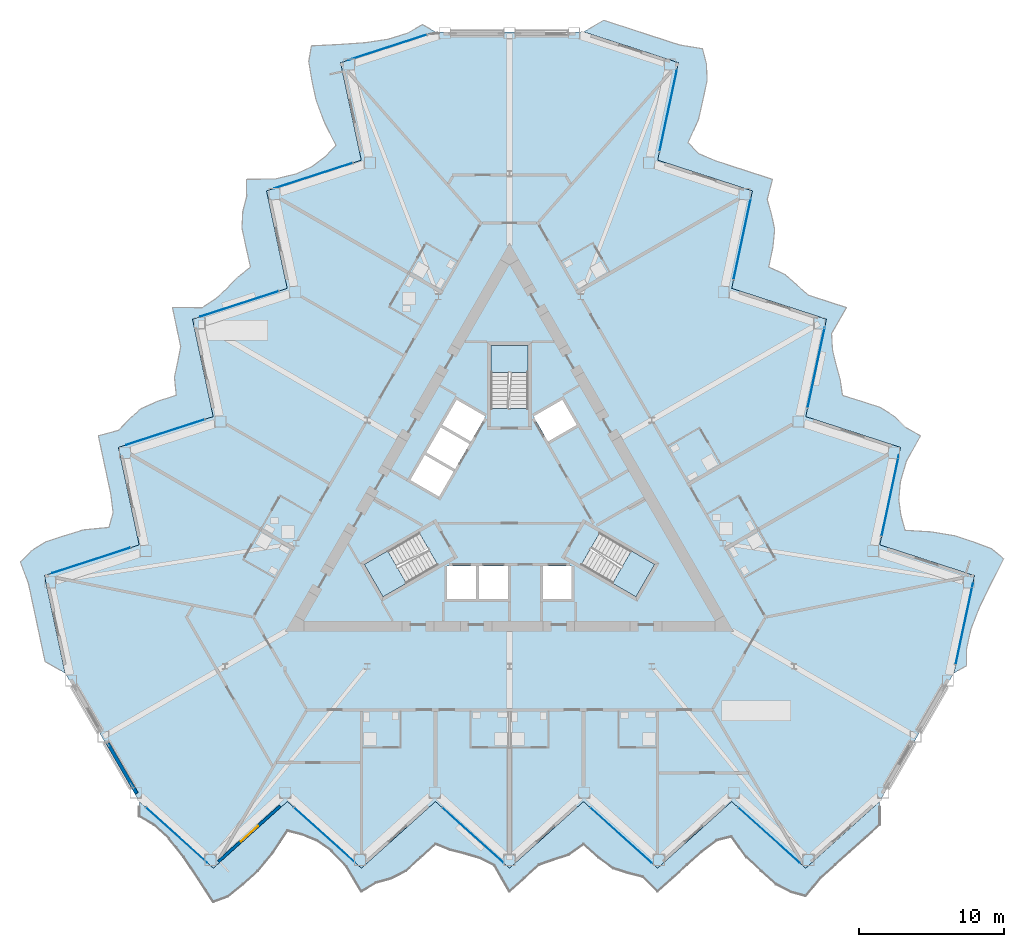
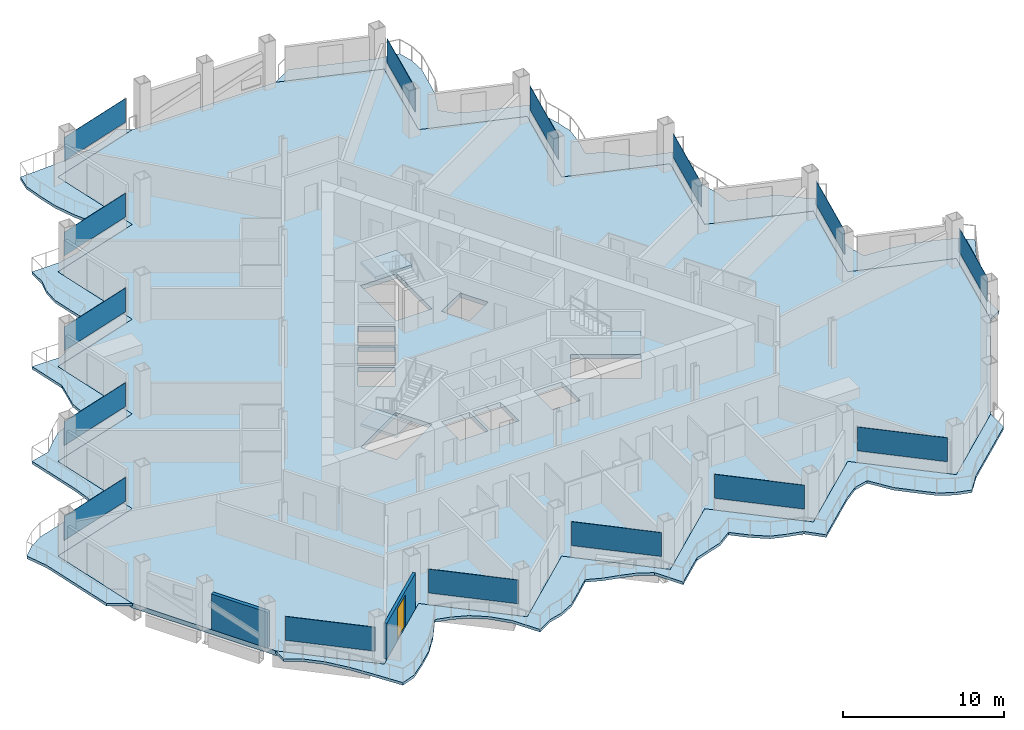
# One storey, part 9 of 23: 15 plates, 7 slabs, 2 walls, 1 door, 1 opening, 18 elements without a shape of their own.
"""IFC4 building model written with IfcOpenShell, lengths in metres."""

from ifc_helpers import new_model, si_unit, direction, frame, frame_2d, origin, origin_2d, place, context, subcontext, project, spatial, polyline, rectangle, outline, extrude, material, layer, layer_set, type_object, element, fill, aggregate, save


model = new_model("IFC4")

# Units and contexts
model_context = context("Model", 3, precision=1e-05, world=origin(), true_north=direction((0.0, 1.0)))
body_context = subcontext(model_context, "Body", "Model", "MODEL_VIEW")
ifc_project = project(units=[si_unit("LENGTHUNIT", "METRE"), si_unit("AREAUNIT", "SQUARE_METRE"), si_unit("VOLUMEUNIT", "CUBIC_METRE"), si_unit("PLANEANGLEUNIT", "RADIAN"), si_unit("MASSUNIT", "GRAM", prefix="KILO")], contexts=[model_context])

# Site, building, storey
site_placement = place(None, origin())
site = spatial("IfcSite", under=ifc_project, at=site_placement, CompositionType="ELEMENT")
building_placement = place(site_placement, origin())
building = spatial("IfcBuilding", under=site, at=building_placement, Name="Cormorant Prow Tower", CompositionType="ELEMENT")
storey_placement = place(building_placement, frame((0.0, 0.0, 169.199951171875)))
storey = spatial("IfcBuildingStorey", under=building, at=storey_placement, Name="L35", CompositionType="ELEMENT", Elevation=169.199951171875)

# Slabs
ifc_material_1 = material(Name="Concrete C40/50", Category="concrete")
ifc_layer_1 = layer(ifc_material_1, 0.199951171875)
ifc_layer_set_1 = layer_set([ifc_layer_1], Name="Concrete C40/50")
slab_type_1 = type_object("IfcSlabType", Name="Balcony slab 200", PredefinedType="FLOOR", material=ifc_layer_set_1)
slab_1_placement = place(storey_placement, frame((0.0, 0.0, -0.199951171875)))
element("IfcSlab", 1, at=slab_1_placement, inside=storey, type_object=slab_type_1, Name="Balcony slab S L35", PredefinedType="FLOOR", context=body_context, shape_type="SweptSolid", body=[
    extrude(outline(polyline([(-25.57861328125, -20.684326171875), (-25.57861328125, -21.700439453125), (-24.555419921875, -22.29296875), (-23.5322265625, -23.231201171875), (-22.509033203125, -24.510498046875), (-21.48583984375, -26.02880859375), (-20.462890625, -27.61572265625), (-19.439697265625, -27.239013671875), (-18.41650390625, -26.398193359375), (-17.393310546875, -25.476806640625), (-16.370361328125, -24.243896484375), (-15.34716796875, -22.6982421875), (-14.323974609375, -22.962646484375), (-13.30078125, -23.3818359375), (-12.277587890625, -24.09912109375), (-11.254638671875, -25.1728515625), (-10.2314453125, -26.890625), (-9.208251953125, -26.283203125), (-8.18505859375, -26.00341796875), (-7.161865234375, -25.476806640625), (-6.138916015625, -24.5556640625), (-5.11572265625, -23.614013671875), (-4.092529296875, -24.0234375), (-3.0693359375, -24.285400390625), (-2.04638671875, -24.58740234375), (-1.023193359375, -25.106689453125), (0.0, -26.890625), (1.023193359375, -25.96923828125), (2.04638671875, -25.048095703125), (3.0693359375, -24.694580078125), (4.092529296875, -24.363525390625), (5.11572265625, -23.63427734375), (6.138916015625, -24.5556640625), (7.161865234375, -25.290771484375), (8.18505859375, -25.6240234375), (9.208251953125, -25.87841796875), (10.2314453125, -26.890625), (11.254638671875, -25.96923828125), (12.277587890625, -25.048095703125), (13.30078125, -24.126953125), (14.323974609375, -23.355712890625), (15.34716796875, -23.0947265625), (16.370361328125, -24.530517578125), (17.393310546875, -25.476806640625), (18.41650390625, -26.398193359375), (19.439697265625, -26.931640625), (20.462890625, -27.212890625), (21.48583984375, -25.96923828125), (22.509033203125, -25.048095703125), (23.5322265625, -24.126953125), (24.555419921875, -23.20556640625), (25.57861328125, -22.284423828125), (25.57861328125, -20.684326171875), (24.555419921875, -21.605712890625), (23.5322265625, -22.52685546875), (22.509033203125, -23.447998046875), (21.48583984375, -24.369384765625), (20.462890625, -25.29052734375), (19.439697265625, -24.369384765625), (18.41650390625, -23.447998046875), (17.393310546875, -22.52685546875), (16.370361328125, -21.605712890625), (15.34716796875, -20.684326171875), (14.323974609375, -21.605712890625), (13.30078125, -22.52685546875), (12.277587890625, -23.447998046875), (11.254638671875, -24.369384765625), (10.2314453125, -25.29052734375), (9.208251953125, -24.369384765625), (8.18505859375, -23.447998046875), (7.161865234375, -22.52685546875), (6.138916015625, -21.605712890625), (5.11572265625, -20.684326171875), (4.092529296875, -21.605712890625), (3.0693359375, -22.52685546875), (2.04638671875, -23.447998046875), (1.023193359375, -24.369384765625), (0.0, -25.29052734375), (-1.023193359375, -24.369384765625), (-2.04638671875, -23.447998046875), (-3.0693359375, -22.52685546875), (-4.092529296875, -21.605712890625), (-5.11572265625, -20.684326171875), (-6.138916015625, -21.605712890625), (-7.161865234375, -22.52685546875), (-8.18505859375, -23.447998046875), (-9.208251953125, -24.369384765625), (-10.2314453125, -25.29052734375), (-11.254638671875, -24.369384765625), (-12.277587890625, -23.447998046875), (-13.30078125, -22.52685546875), (-14.323974609375, -21.605712890625), (-15.34716796875, -20.684326171875), (-16.370361328125, -21.605712890625), (-17.393310546875, -22.52685546875), (-18.41650390625, -23.447998046875), (-19.439697265625, -24.369384765625), (-20.462890625, -25.29052734375), (-21.48583984375, -24.369384765625), (-22.509033203125, -23.447998046875), (-23.5322265625, -22.52685546875), (-24.555419921875, -21.605712890625), (-25.57861328125, -20.684326171875)])), origin(), (0.0, 0.0, 1.0), 0.199951171875),
])
slab_2_placement = place(storey_placement, frame((0.0, 0.0, -0.199951171875)))
element("IfcSlab", 2, at=slab_2_placement, inside=storey, type_object=slab_type_1, Name="Balcony slab ENE L35", PredefinedType="FLOOR", context=body_context, shape_type="SweptSolid", body=[
    extrude(outline(polyline([(30.702392578125, -11.8095703125), (31.58251953125, -11.301513671875), (31.583984375, -10.119140625), (31.885009765625, -8.763916015625), (32.4814453125, -7.238037109375), (33.28466796875, -5.593017578125), (34.1474609375, -3.913330078125), (33.309326171875, -3.2158203125), (32.069580078125, -2.750244140625), (30.76025390625, -2.32470703125), (29.180908203125, -2.05517578125), (27.330810546875, -1.94189453125), (27.048095703125, -0.923583984375), (26.899658203125, 0.172119140625), (27.00927734375, 1.416748046875), (27.427490234375, 2.839599609375), (28.403564453125, 4.584716796875), (27.3662109375, 5.1669921875), (26.612060546875, 5.9130859375), (25.64453125, 6.535888671875), (24.335205078125, 6.96142578125), (23.008056640625, 7.376708984375), (22.851318359375, 8.467529296875), (22.56640625, 9.484375), (22.316650390625, 10.521728515625), (22.254638671875, 11.667236328125), (23.287841796875, 13.4453125), (21.978515625, 13.870849609375), (20.669189453125, 14.296142578125), (19.851318359375, 15.00537109375), (19.05322265625, 15.72607421875), (17.91015625, 16.24755859375), (18.1962890625, 17.59423828125), (18.321533203125, 18.847900390625), (18.098388671875, 19.900390625), (17.80712890625, 20.913818359375), (18.172119140625, 22.305908203125), (16.86279296875, 22.7314453125), (15.553466796875, 23.15673828125), (14.244140625, 23.582275390625), (13.064697265625, 24.082763671875), (12.3271484375, 24.83837890625), (13.058837890625, 26.4423828125), (13.366943359375, 27.801513671875), (13.653076171875, 29.148193359375), (13.603759765625, 30.301025390625), (13.335693359375, 31.32763671875), (11.7470703125, 31.592041015625), (10.437744140625, 32.017578125), (9.12841796875, 32.44287109375), (7.819091796875, 32.868408203125), (6.509521484375, 33.2939453125), (5.1240234375, 32.493896484375), (6.433349609375, 32.068359375), (7.74267578125, 31.64306640625), (9.052001953125, 31.217529296875), (10.361572265625, 30.7919921875), (11.6708984375, 30.36669921875), (11.384521484375, 29.02001953125), (11.098388671875, 27.67333984375), (10.812255859375, 26.32666015625), (10.52587890625, 24.97998046875), (10.23974609375, 23.63330078125), (11.549072265625, 23.207763671875), (12.8583984375, 22.7822265625), (14.167724609375, 22.35693359375), (15.477294921875, 21.931396484375), (16.78662109375, 21.505859375), (16.500244140625, 20.1591796875), (16.214111328125, 18.8125), (15.927734375, 17.4658203125), (15.6416015625, 16.119140625), (15.35546875, 14.7724609375), (16.664794921875, 14.34716796875), (17.97412109375, 13.921630859375), (19.283447265625, 13.49609375), (20.593017578125, 13.07080078125), (21.90234375, 12.645263671875), (21.615966796875, 11.298583984375), (21.329833984375, 9.951904296875), (21.04345703125, 8.605224609375), (20.75732421875, 7.258544921875), (20.470947265625, 5.911865234375), (21.780517578125, 5.486328125), (23.08984375, 5.06103515625), (24.399169921875, 4.635498046875), (25.70849609375, 4.2099609375), (27.01806640625, 3.78466796875), (26.731689453125, 2.43798828125), (26.445556640625, 1.09130859375), (26.1591796875, -0.25537109375), (25.873046875, -1.60205078125), (25.586669921875, -2.94873046875), (26.896240234375, -3.374267578125), (28.20556640625, -3.7998046875), (29.514892578125, -4.22509765625), (30.82421875, -4.650634765625), (32.1337890625, -5.075927734375), (31.847412109375, -6.422607421875), (31.561279296875, -7.769287109375), (31.27490234375, -9.115966796875), (30.98876953125, -10.462890625), (30.702392578125, -11.8095703125)])), origin(), (0.0, 0.0, 1.0), 0.199951171875),
])
slab_3_placement = place(storey_placement, frame((0.0, 0.0, -0.199951171875)))
element("IfcSlab", 3, at=slab_3_placement, inside=storey, type_object=slab_type_1, Name="Balcony slab WNW L35", PredefinedType="FLOOR", context=body_context, shape_type="SweptSolid", body=[
    extrude(outline(polyline([(-5.1240234375, 32.493896484375), (-6.00390625, 33.001953125), (-7.028564453125, 32.412109375), (-8.352783203125, 31.9951171875), (-9.97216796875, 31.748779296875), (-11.798828125, 31.621826171875), (-13.6845703125, 31.529296875), (-13.869873046875, 30.45458984375), (-13.653076171875, 29.148193359375), (-13.366943359375, 27.801513671875), (-12.810791015625, 26.299072265625), (-11.983642578125, 24.64013671875), (-12.72412109375, 23.88623046875), (-13.598876953125, 23.209716796875), (-14.731689453125, 22.682373046875), (-16.1728515625, 22.3330078125), (-18.172119140625, 22.305908203125), (-18.157958984375, 21.1162109375), (-18.427001953125, 20.09033203125), (-18.482666015625, 18.94091796875), (-18.1962890625, 17.59423828125), (-17.892333984375, 16.2373046875), (-18.7587890625, 15.555908203125), (-19.4970703125, 14.80078125), (-20.270263671875, 14.06591796875), (-21.2314453125, 13.439453125), (-23.287841796875, 13.4453125), (-23.001708984375, 12.0986328125), (-22.71533203125, 10.751953125), (-22.9208984375, 9.68896484375), (-23.145751953125, 8.637451171875), (-23.02587890625, 7.386962890625), (-24.335205078125, 6.96142578125), (-25.4833984375, 6.44287109375), (-26.283447265625, 5.723388671875), (-27.015380859375, 4.964599609375), (-28.403564453125, 4.584716796875), (-28.117431640625, 3.238037109375), (-27.8310546875, 1.891357421875), (-27.544921875, 0.544677734375), (-27.388671875, -0.72705078125), (-27.674072265625, -1.74365234375), (-29.42919921875, -1.911865234375), (-30.76025390625, -2.32470703125), (-32.069580078125, -2.750244140625), (-33.04345703125, -3.369384765625), (-33.79833984375, -4.114990234375), (-33.233154296875, -5.622802734375), (-32.94677734375, -6.969482421875), (-32.66064453125, -8.316162109375), (-32.374267578125, -9.662841796875), (-32.088134765625, -11.009521484375), (-30.702392578125, -11.8095703125), (-30.98876953125, -10.462890625), (-31.27490234375, -9.115966796875), (-31.561279296875, -7.769287109375), (-31.847412109375, -6.422607421875), (-32.1337890625, -5.075927734375), (-30.82421875, -4.650634765625), (-29.514892578125, -4.22509765625), (-28.20556640625, -3.7998046875), (-26.896240234375, -3.374267578125), (-25.586669921875, -2.94873046875), (-25.873046875, -1.60205078125), (-26.1591796875, -0.25537109375), (-26.445556640625, 1.09130859375), (-26.731689453125, 2.43798828125), (-27.01806640625, 3.78466796875), (-25.70849609375, 4.2099609375), (-24.399169921875, 4.635498046875), (-23.08984375, 5.06103515625), (-21.780517578125, 5.486328125), (-20.470947265625, 5.911865234375), (-20.75732421875, 7.258544921875), (-21.04345703125, 8.605224609375), (-21.329833984375, 9.951904296875), (-21.615966796875, 11.298583984375), (-21.90234375, 12.645263671875), (-20.593017578125, 13.07080078125), (-19.283447265625, 13.49609375), (-17.97412109375, 13.921630859375), (-16.664794921875, 14.34716796875), (-15.35546875, 14.7724609375), (-15.6416015625, 16.119140625), (-15.927734375, 17.4658203125), (-16.214111328125, 18.8125), (-16.500244140625, 20.1591796875), (-16.78662109375, 21.505859375), (-15.477294921875, 21.931396484375), (-14.167724609375, 22.35693359375), (-12.8583984375, 22.7822265625), (-11.549072265625, 23.207763671875), (-10.23974609375, 23.63330078125), (-10.52587890625, 24.97998046875), (-10.812255859375, 26.32666015625), (-11.098388671875, 27.67333984375), (-11.384521484375, 29.02001953125), (-11.6708984375, 30.36669921875), (-10.361572265625, 30.7919921875), (-9.052001953125, 31.217529296875), (-7.74267578125, 31.64306640625), (-6.433349609375, 32.068359375), (-5.1240234375, 32.493896484375)])), origin(), (0.0, 0.0, 1.0), 0.199951171875),
])

# Curtain wall, plate
ifc_material_2 = material(Name="Aluminium 6063-T6", Category="aluminium")
ifc_layer_2 = layer(ifc_material_2, 0.179931640625)
ifc_layer_set_2 = layer_set([ifc_layer_2], Name="Aluminium 6063-T6")
curtain_wall_type = type_object("IfcCurtainWallType", Name="Hotel unitised curtain wall 180", PredefinedType="NOTDEFINED", material=ifc_layer_set_2)
curtain_wall_1_placement = place(storey_placement, origin())
curtain_wall_1 = element("IfcCurtainWall", 4, at=curtain_wall_1_placement, inside=storey, type_object=curtain_wall_type, Name="Hotel curtain wall S00", PredefinedType="NOTDEFINED")
ifc_material_3 = material(Name="Clear glass", Category="glass")
ifc_layer_3 = layer(ifc_material_3, 0.028076171875)
ifc_layer_set_3 = layer_set([ifc_layer_3], Name="Clear glass")
plate_type = type_object("IfcPlateType", Name="Hotel glass panel 28", PredefinedType="CURTAIN_PANEL", material=ifc_layer_set_3)
plate_1_placement = place(storey_placement, frame((-22.998291015625, -23.007568359375, 0.900146484375), z_axis=(0.0, 0.0, 1.0), x_axis=(0.743144931764, -0.669130488316, 0.0)))
plate_1 = element("IfcPlate", 5, at=plate_1_placement, type_object=plate_type, Name="Hotel glass panel S00", PredefinedType="CURTAIN_PANEL", context=body_context, shape_type="SweptSolid", body=[
    extrude(rectangle(XDim=5.687744140625, YDim=0.028076171875, at=origin_2d()), origin(), (0.0, 0.0, 1.0), 1.80078125),
])
aggregate(curtain_wall_1, [plate_1])

curtain_wall_2_placement = place(storey_placement, origin())
curtain_wall_2 = element("IfcCurtainWall", 6, at=curtain_wall_2_placement, inside=storey, type_object=curtain_wall_type, Name="Hotel curtain wall S02", PredefinedType="NOTDEFINED")
plate_2_placement = place(storey_placement, frame((-12.766845703125, -23.007568359375, 0.900146484375), z_axis=(0.0, 0.0, 1.0), x_axis=(0.743144866726, -0.669130560548, 0.0)))
plate_2 = element("IfcPlate", 7, at=plate_2_placement, type_object=plate_type, Name="Hotel glass panel S02", PredefinedType="CURTAIN_PANEL", context=body_context, shape_type="SweptSolid", body=[
    extrude(rectangle(XDim=5.687744140625, YDim=0.028076171875, at=origin_2d()), origin(), (0.0, 0.0, 1.0), 1.80078125),
])
aggregate(curtain_wall_2, [plate_2])

curtain_wall_3_placement = place(storey_placement, origin())
curtain_wall_3 = element("IfcCurtainWall", 8, at=curtain_wall_3_placement, inside=storey, type_object=curtain_wall_type, Name="Hotel curtain wall S04", PredefinedType="NOTDEFINED")
plate_3_placement = place(storey_placement, frame((-2.53564453125, -23.007568359375, 0.900146484375), z_axis=(0.0, 0.0, 1.0), x_axis=(0.743144866726, -0.669130560548, 0.0)))
plate_3 = element("IfcPlate", 9, at=plate_3_placement, type_object=plate_type, Name="Hotel glass panel S04", PredefinedType="CURTAIN_PANEL", context=body_context, shape_type="SweptSolid", body=[
    extrude(rectangle(XDim=5.687744140625, YDim=0.028076171875, at=origin_2d()), origin(), (0.0, 0.0, 1.0), 1.80078125),
])
aggregate(curtain_wall_3, [plate_3])

curtain_wall_4_placement = place(storey_placement, origin())
curtain_wall_4 = element("IfcCurtainWall", 10, at=curtain_wall_4_placement, inside=storey, type_object=curtain_wall_type, Name="Hotel curtain wall S06", PredefinedType="NOTDEFINED")
plate_4_placement = place(storey_placement, frame((7.69580078125, -23.007568359375, 0.900146484375), z_axis=(0.0, 0.0, 1.0), x_axis=(0.743144931764, -0.669130488316, 0.0)))
plate_4 = element("IfcPlate", 11, at=plate_4_placement, type_object=plate_type, Name="Hotel glass panel S06", PredefinedType="CURTAIN_PANEL", context=body_context, shape_type="SweptSolid", body=[
    extrude(rectangle(XDim=5.687744140625, YDim=0.028076171875, at=origin_2d()), origin(), (0.0, 0.0, 1.0), 1.80078125),
])
aggregate(curtain_wall_4, [plate_4])

curtain_wall_5_placement = place(storey_placement, origin())
curtain_wall_5 = element("IfcCurtainWall", 12, at=curtain_wall_5_placement, inside=storey, type_object=curtain_wall_type, Name="Hotel curtain wall S08", PredefinedType="NOTDEFINED")
plate_5_placement = place(storey_placement, frame((17.92724609375, -23.007568359375, 0.900146484375), z_axis=(0.0, 0.0, 1.0), x_axis=(0.743144866726, -0.669130560548, 0.0)))
plate_5 = element("IfcPlate", 13, at=plate_5_placement, type_object=plate_type, Name="Hotel glass panel S08", PredefinedType="CURTAIN_PANEL", context=body_context, shape_type="SweptSolid", body=[
    extrude(rectangle(XDim=5.687744140625, YDim=0.028076171875, at=origin_2d()), origin(), (0.0, 0.0, 1.0), 1.80078125),
])
aggregate(curtain_wall_5, [plate_5])

curtain_wall_6_placement = place(storey_placement, origin())
curtain_wall_6 = element("IfcCurtainWall", 14, at=curtain_wall_6_placement, inside=storey, type_object=curtain_wall_type, Name="Hotel curtain wall ENE00", PredefinedType="NOTDEFINED")
plate_6_placement = place(storey_placement, frame((31.42431640625, -8.413330078125, 0.900146484375), z_axis=(0.0, 0.0, 1.0), x_axis=(0.207911728478, 0.978147592729, 0.0)))
plate_6 = element("IfcPlate", 15, at=plate_6_placement, type_object=plate_type, Name="Hotel glass panel ENE00", PredefinedType="CURTAIN_PANEL", context=body_context, shape_type="SweptSolid", body=[
    extrude(rectangle(XDim=5.687744140625, YDim=0.028076171875, at=origin_2d()), origin(), (0.0, 0.0, 1.0), 1.80078125),
])
aggregate(curtain_wall_6, [plate_6])

curtain_wall_7_placement = place(storey_placement, origin())
curtain_wall_7 = element("IfcCurtainWall", 16, at=curtain_wall_7_placement, inside=storey, type_object=curtain_wall_type, Name="Hotel curtain wall ENE02", PredefinedType="NOTDEFINED")
plate_7_placement = place(storey_placement, frame((26.30859375, 0.447265625, 0.900146484375), z_axis=(0.0, 0.0, 1.0), x_axis=(0.207911589496, 0.97814762227, 0.0)))
plate_7 = element("IfcPlate", 17, at=plate_7_placement, type_object=plate_type, Name="Hotel glass panel ENE02", PredefinedType="CURTAIN_PANEL", context=body_context, shape_type="SweptSolid", body=[
    extrude(rectangle(XDim=5.687744140625, YDim=0.028076171875, at=origin_2d()), origin(), (0.0, 0.0, 1.0), 1.80078125),
])
aggregate(curtain_wall_7, [plate_7])

curtain_wall_8_placement = place(storey_placement, origin())
curtain_wall_8 = element("IfcCurtainWall", 18, at=curtain_wall_8_placement, inside=storey, type_object=curtain_wall_type, Name="Hotel curtain wall ENE04", PredefinedType="NOTDEFINED")
plate_8_placement = place(storey_placement, frame((21.19287109375, 9.307861328125, 0.900146484375), z_axis=(0.0, 0.0, 1.0), x_axis=(0.207911698927, 0.97814759901, 0.0)))
plate_8 = element("IfcPlate", 19, at=plate_8_placement, type_object=plate_type, Name="Hotel glass panel ENE04", PredefinedType="CURTAIN_PANEL", context=body_context, shape_type="SweptSolid", body=[
    extrude(rectangle(XDim=5.687744140625, YDim=0.028076171875, at=origin_2d()), origin(), (0.0, 0.0, 1.0), 1.80078125),
])
aggregate(curtain_wall_8, [plate_8])

curtain_wall_9_placement = place(storey_placement, origin())
curtain_wall_9 = element("IfcCurtainWall", 20, at=curtain_wall_9_placement, inside=storey, type_object=curtain_wall_type, Name="Hotel curtain wall ENE06", PredefinedType="NOTDEFINED")
plate_9_placement = place(storey_placement, frame((16.0771484375, 18.168701171875, 0.900146484375), z_axis=(0.0, 0.0, 1.0), x_axis=(0.207911728478, 0.978147592729, 0.0)))
plate_9 = element("IfcPlate", 21, at=plate_9_placement, type_object=plate_type, Name="Hotel glass panel ENE06", PredefinedType="CURTAIN_PANEL", context=body_context, shape_type="SweptSolid", body=[
    extrude(rectangle(XDim=5.687744140625, YDim=0.028076171875, at=origin_2d()), origin(), (0.0, 0.0, 1.0), 1.80078125),
])
aggregate(curtain_wall_9, [plate_9])

curtain_wall_10_placement = place(storey_placement, origin())
curtain_wall_10 = element("IfcCurtainWall", 22, at=curtain_wall_10_placement, inside=storey, type_object=curtain_wall_type, Name="Hotel curtain wall ENE08", PredefinedType="NOTDEFINED")
plate_10_placement = place(storey_placement, frame((10.96142578125, 27.029296875, 0.900146484375), z_axis=(0.0, 0.0, 1.0), x_axis=(0.207911728478, 0.978147592729, 0.0)))
plate_10 = element("IfcPlate", 23, at=plate_10_placement, type_object=plate_type, Name="Hotel glass panel ENE08", PredefinedType="CURTAIN_PANEL", context=body_context, shape_type="SweptSolid", body=[
    extrude(rectangle(XDim=5.687744140625, YDim=0.028076171875, at=origin_2d()), origin(), (0.0, 0.0, 1.0), 1.80078125),
])
aggregate(curtain_wall_10, [plate_10])

curtain_wall_11_placement = place(storey_placement, origin())
curtain_wall_11 = element("IfcCurtainWall", 24, at=curtain_wall_11_placement, inside=storey, type_object=curtain_wall_type, Name="Hotel curtain wall WNW00", PredefinedType="NOTDEFINED")
plate_11_placement = place(storey_placement, frame((-8.426025390625, 31.4208984375, 0.900146484375), z_axis=(0.0, 0.0, 1.0), x_axis=(-0.951056492009, -0.309017069121, 0.0)))
plate_11 = element("IfcPlate", 25, at=plate_11_placement, type_object=plate_type, Name="Hotel glass panel WNW00", PredefinedType="CURTAIN_PANEL", context=body_context, shape_type="SweptSolid", body=[
    extrude(rectangle(XDim=5.687744140625, YDim=0.028076171875, at=origin_2d()), origin(), (0.0, 0.0, 1.0), 1.80078125),
])
aggregate(curtain_wall_11, [plate_11])

curtain_wall_12_placement = place(storey_placement, origin())
curtain_wall_12 = element("IfcCurtainWall", 26, at=curtain_wall_12_placement, inside=storey, type_object=curtain_wall_type, Name="Hotel curtain wall WNW02", PredefinedType="NOTDEFINED")
plate_12_placement = place(storey_placement, frame((-13.541748046875, 22.560302734375, 0.900146484375), z_axis=(0.0, 0.0, 1.0), x_axis=(-0.951056492009, -0.309017069121, 0.0)))
plate_12 = element("IfcPlate", 27, at=plate_12_placement, type_object=plate_type, Name="Hotel glass panel WNW02", PredefinedType="CURTAIN_PANEL", context=body_context, shape_type="SweptSolid", body=[
    extrude(rectangle(XDim=5.687744140625, YDim=0.028076171875, at=origin_2d()), origin(), (0.0, 0.0, 1.0), 1.80078125),
])
aggregate(curtain_wall_12, [plate_12])

curtain_wall_13_placement = place(storey_placement, origin())
curtain_wall_13 = element("IfcCurtainWall", 28, at=curtain_wall_13_placement, inside=storey, type_object=curtain_wall_type, Name="Hotel curtain wall WNW04", PredefinedType="NOTDEFINED")
plate_13_placement = place(storey_placement, frame((-18.657470703125, 13.69970703125, 0.900146484375), z_axis=(0.0, 0.0, 1.0), x_axis=(-0.951056534703, -0.309016937722, 0.0)))
plate_13 = element("IfcPlate", 29, at=plate_13_placement, type_object=plate_type, Name="Hotel glass panel WNW04", PredefinedType="CURTAIN_PANEL", context=body_context, shape_type="SweptSolid", body=[
    extrude(rectangle(XDim=5.687744140625, YDim=0.028076171875, at=origin_2d()), origin(), (0.0, 0.0, 1.0), 1.80078125),
])
aggregate(curtain_wall_13, [plate_13])

curtain_wall_14_placement = place(storey_placement, origin())
curtain_wall_14 = element("IfcCurtainWall", 30, at=curtain_wall_14_placement, inside=storey, type_object=curtain_wall_type, Name="Hotel curtain wall WNW06", PredefinedType="NOTDEFINED")
plate_14_placement = place(storey_placement, frame((-23.77294921875, 4.8388671875, 0.900146484375), z_axis=(0.0, 0.0, 1.0), x_axis=(-0.951056534703, -0.309016937722, 0.0)))
plate_14 = element("IfcPlate", 31, at=plate_14_placement, type_object=plate_type, Name="Hotel glass panel WNW06", PredefinedType="CURTAIN_PANEL", context=body_context, shape_type="SweptSolid", body=[
    extrude(rectangle(XDim=5.687744140625, YDim=0.028076171875, at=origin_2d()), origin(), (0.0, 0.0, 1.0), 1.80078125),
])
aggregate(curtain_wall_14, [plate_14])

curtain_wall_15_placement = place(storey_placement, origin())
curtain_wall_15 = element("IfcCurtainWall", 32, at=curtain_wall_15_placement, inside=storey, type_object=curtain_wall_type, Name="Hotel curtain wall WNW08", PredefinedType="NOTDEFINED")
plate_15_placement = place(storey_placement, frame((-28.888671875, -4.021728515625, 0.900146484375), z_axis=(0.0, 0.0, 1.0), x_axis=(-0.951056492009, -0.309017069121, 0.0)))
plate_15 = element("IfcPlate", 33, at=plate_15_placement, type_object=plate_type, Name="Hotel glass panel WNW08", PredefinedType="CURTAIN_PANEL", context=body_context, shape_type="SweptSolid", body=[
    extrude(rectangle(XDim=5.687744140625, YDim=0.028076171875, at=origin_2d()), origin(), (0.0, 0.0, 1.0), 1.80078125),
])
aggregate(curtain_wall_15, [plate_15])

# Slab
ifc_material_4 = material(Name="Concrete C40/50", Category="concrete")
ifc_layer_4 = layer(ifc_material_4, 0.35009765625)
ifc_layer_set_4 = layer_set([ifc_layer_4], Name="Concrete C40/50")
slab_type_2 = type_object("IfcSlabType", Name="Post-tensioned flat slab 350", PredefinedType="FLOOR", material=ifc_layer_set_4)
slab_4_placement = place(storey_placement, frame((0.0, 0.0, -0.349853515625)))
element("IfcSlab", 34, at=slab_4_placement, inside=storey, type_object=slab_type_2, Name="Floor slab L35", PredefinedType="FLOOR", context=body_context, shape_type="SweptSolid", body=[
    extrude(outline(polyline([(-10.23974609375, 23.63330078125), (-16.78662109375, 21.505859375), (-15.35546875, 14.7724609375), (-21.90234375, 12.645263671875), (-20.470947265625, 5.911865234375), (-27.01806640625, 3.78466796875), (-25.586669921875, -2.94873046875), (-32.1337890625, -5.075927734375), (-30.702392578125, -11.8095703125), (-28.140380859375, -16.246826171875), (-25.57861328125, -20.684326171875), (-20.462890625, -25.29052734375), (-15.34716796875, -20.684326171875), (-10.2314453125, -25.29052734375), (-5.11572265625, -20.684326171875), (0.0, -25.29052734375), (5.11572265625, -20.684326171875), (10.2314453125, -25.29052734375), (15.34716796875, -20.684326171875), (20.462890625, -25.29052734375), (25.57861328125, -20.684326171875), (28.140380859375, -16.246826171875), (30.702392578125, -11.8095703125), (32.1337890625, -5.075927734375), (25.586669921875, -2.94873046875), (27.01806640625, 3.78466796875), (20.470947265625, 5.911865234375), (21.90234375, 12.645263671875), (15.35546875, 14.7724609375), (16.78662109375, 21.505859375), (10.23974609375, 23.63330078125), (11.6708984375, 30.36669921875), (5.1240234375, 32.493896484375), (0.0, 32.493896484375), (-5.1240234375, 32.493896484375), (-11.6708984375, 30.36669921875), (-10.23974609375, 23.63330078125)]), holes=[polyline([(-4.300048828125, -4.39990234375), (-2.300048828125, -4.39990234375), (-2.300048828125, -6.699951171875), (-4.300048828125, -6.699951171875), (-4.300048828125, -4.39990234375)]), polyline([(-0.10009765625, -4.39990234375), (-0.10009765625, -6.699951171875), (-2.10009765625, -6.699951171875), (-2.10009765625, -4.39990234375), (-0.10009765625, -4.39990234375)]), polyline([(4.300048828125, -6.699951171875), (2.300048828125, -6.699951171875), (2.300048828125, -4.39990234375), (4.300048828125, -4.39990234375), (4.300048828125, -6.699951171875)]), polyline([(4.65234375, 5.341796875), (2.660400390625, 4.19189453125), (1.660400390625, 5.923828125), (3.65234375, 7.073974609375), (4.65234375, 5.341796875)]), polyline([(-1.660400390625, 5.923828125), (-2.660400390625, 4.19189453125), (-4.65234375, 5.341796875), (-3.65234375, 7.073974609375), (-1.660400390625, 5.923828125)]), polyline([(-3.760498046875, 2.28662109375), (-5.75244140625, 3.4365234375), (-4.75244140625, 5.168701171875), (-2.760498046875, 4.018798828125), (-3.760498046875, 2.28662109375)]), polyline([(-6.852294921875, 1.53125), (-5.852294921875, 3.263427734375), (-3.860595703125, 2.11328125), (-4.860595703125, 0.38134765625), (-6.852294921875, 1.53125)]), polyline([(-4.947509765625, -4.3505859375), (-8.738037109375, -6.5390625), (-10.031982421875, -4.2978515625), (-6.241455078125, -2.109375), (-4.947509765625, -4.3505859375)]), polyline([(10.031982421875, -4.2978515625), (8.738037109375, -6.5390625), (4.947509765625, -4.3505859375), (6.241455078125, -2.109375), (10.031982421875, -4.2978515625)]), polyline([(1.2939453125, 10.8369140625), (1.2939453125, 6.459716796875), (-1.2939453125, 6.459716796875), (-1.2939453125, 10.8369140625), (1.2939453125, 10.8369140625)])]), origin(), (0.0, 0.0, 1.0), 0.349853515625),
])

# Stair, slab
ifc_material_5 = material(Name="Exit stair 20 risers")
stair_type = type_object("IfcStairType", Name="Exit stair 20 risers", PredefinedType="HALF_TURN_STAIR", material=ifc_material_5)
stair_1_placement = place(storey_placement, origin())
stair_1 = element("IfcStair", 35, at=stair_1_placement, inside=storey, type_object=stair_type, Name="L35 Exit stair ST1", PredefinedType="HALF_TURN_STAIR")
ifc_material_6 = material(Name="Concrete 5000 psi", Category="concrete")
ifc_layer_5 = layer(ifc_material_6, 0.199951171875)
ifc_layer_set_5 = layer_set([ifc_layer_5], Name="Concrete 5000 psi")
slab_type_3 = type_object("IfcSlabType", Name="Stair landing 200", PredefinedType="LANDING", material=ifc_layer_set_5)
slab_5_placement = place(storey_placement, frame((0.0, 0.0, 1.60009765625)))
slab_5 = element("IfcSlab", 36, at=slab_5_placement, type_object=slab_type_3, Name="ST1 landing 1", PredefinedType="LANDING", context=body_context, shape_type="SweptSolid", body=[
    extrude(outline(polyline([(-8.416748046875, -3.365234375), (-10.031982421875, -4.2978515625), (-8.738037109375, -6.5390625), (-7.122802734375, -5.6064453125), (-8.416748046875, -3.365234375)])), origin(), (0.0, 0.0, 1.0), 0.199951171875),
])
aggregate(stair_1, [slab_5])

stair_2_placement = place(storey_placement, origin())
stair_2 = element("IfcStair", 37, at=stair_2_placement, inside=storey, type_object=stair_type, Name="L35 Exit stair ST2", PredefinedType="HALF_TURN_STAIR")
slab_6_placement = place(storey_placement, frame((0.0, 0.0, 1.60009765625)))
slab_6 = element("IfcSlab", 38, at=slab_6_placement, type_object=slab_type_3, Name="ST2 landing 1", PredefinedType="LANDING", context=body_context, shape_type="SweptSolid", body=[
    extrude(outline(polyline([(7.122802734375, -5.6064453125), (8.738037109375, -6.5390625), (10.031982421875, -4.2978515625), (8.416748046875, -3.365234375), (7.122802734375, -5.6064453125)])), origin(), (0.0, 0.0, 1.0), 0.199951171875),
])
aggregate(stair_2, [slab_6])

stair_3_placement = place(storey_placement, origin())
stair_3 = element("IfcStair", 39, at=stair_3_placement, inside=storey, type_object=stair_type, Name="L35 Exit stair ST3", PredefinedType="HALF_TURN_STAIR")
slab_7_placement = place(storey_placement, frame((0.0, 0.0, 1.60009765625)))
slab_7 = element("IfcSlab", 40, at=slab_7_placement, type_object=slab_type_3, Name="ST3 landing 1", PredefinedType="LANDING", context=body_context, shape_type="SweptSolid", body=[
    extrude(outline(polyline([(1.2939453125, 8.971923828125), (1.2939453125, 10.8369140625), (-1.2939453125, 10.8369140625), (-1.2939453125, 8.971923828125), (1.2939453125, 8.971923828125)])), origin(), (0.0, 0.0, 1.0), 0.199951171875),
])
aggregate(stair_3, [slab_7])

# Wall
ifc_material_7 = material(Name="Terracotta", Category="masonry")
ifc_layer_6 = layer(ifc_material_7, 0.25)
ifc_layer_set_6 = layer_set([ifc_layer_6], Name="Terracotta")
wall_type_1 = type_object("IfcWallType", Name="Terracotta bay wall 250", PredefinedType="SOLIDWALL", material=ifc_layer_set_6)
wall_1_placement = place(storey_placement, frame((-27.763671875, -16.649658203125, 0.0), z_axis=(0.0, 0.0, 1.0), x_axis=(0.500039726511, -0.866002466458, 0.0)))
element("IfcWall", 41, at=wall_1_placement, inside=storey, type_object=wall_type_1, Name="Terracotta bay wall WSW01", PredefinedType="SOLIDWALL", context=body_context, shape_type="SweptSolid", body=[
    extrude(rectangle(XDim=4.018798828125, YDim=0.25, at=frame_2d((2.00927734375, 0.0))), origin(), (0.0, 0.0, 1.0), 2.700927734375),
])

# Wall, opening, door
ifc_material_8 = material(Name="Terracotta", Category="masonry")
ifc_layer_7 = layer(ifc_material_8, 0.199951171875)
ifc_layer_set_7 = layer_set([ifc_layer_7], Name="Terracotta")
wall_type_2 = type_object("IfcWallType", Name="Terracotta jamb wall 200", PredefinedType="SOLIDWALL", material=ifc_layer_set_7)
wall_2_placement = place(storey_placement, frame((-20.107666015625, -24.836181640625, 0.0), z_axis=(0.0, 0.0, 1.0), x_axis=(0.74315473474, 0.669119600844, 0.0)))
wall_2 = element("IfcWall", 42, at=wall_2_placement, inside=storey, type_object=wall_type_2, Name="Terracotta jamb wall S01", PredefinedType="SOLIDWALL", context=body_context, shape_type="SweptSolid", body=[
    extrude(rectangle(XDim=5.747802734375, YDim=0.199951171875, at=frame_2d((2.8740234375, 0.0))), origin(), (0.0, 0.0, 1.0), 2.700927734375),
])
opening_placement = place(wall_2_placement, frame((2.073974609375, 0.0, 0.0)))
opening = element("IfcOpeningElement", 43, at=opening_placement, cuts=wall_2, Name="Opening ED35.01", PredefinedType="OPENING", context=body_context, shape_type="SweptSolid", body=[
    extrude(rectangle(XDim=1.60009765625, YDim=2.39990234375, at=frame_2d((0.800048828125, 1.199951171875))), frame((0.0, 0.10986328125, 0.0), z_axis=(0.0, -1.0, 0.0), x_axis=(1.0, 0.0, 0.0)), (0.0, 0.0, 1.0), 0.219970703125),
])
ifc_material_9 = material(Name="Aluminium 6063-T6", Category="aluminium")
door_type = type_object("IfcDoorType", Name="Balcony door 1600x2400", OperationType="DOUBLE_DOOR_SINGLE_SWING", PredefinedType="DOOR", material=ifc_material_9)
door_placement = place(opening_placement, origin())
door = element("IfcDoor", 44, at=door_placement, inside=storey, type_object=door_type, Name="Balcony door S01 ED35.01", OperationType="DOUBLE_DOOR_SINGLE_SWING", OverallHeight=2.39990234375, OverallWidth=1.60009765625, PredefinedType="DOOR", context=body_context, shape_type="SweptSolid", body=[
    extrude(rectangle(XDim=1.60009765625, YDim=2.39990234375, at=frame_2d((0.800048828125, 1.199951171875))), frame((0.0, 0.02490234375, 0.0), z_axis=(0.0, -1.0, 0.0), x_axis=(1.0, 0.0, 0.0)), (0.0, 0.0, 1.0), 0.050048828125),
])
fill(opening, door)

save(model, "model.ifc")
